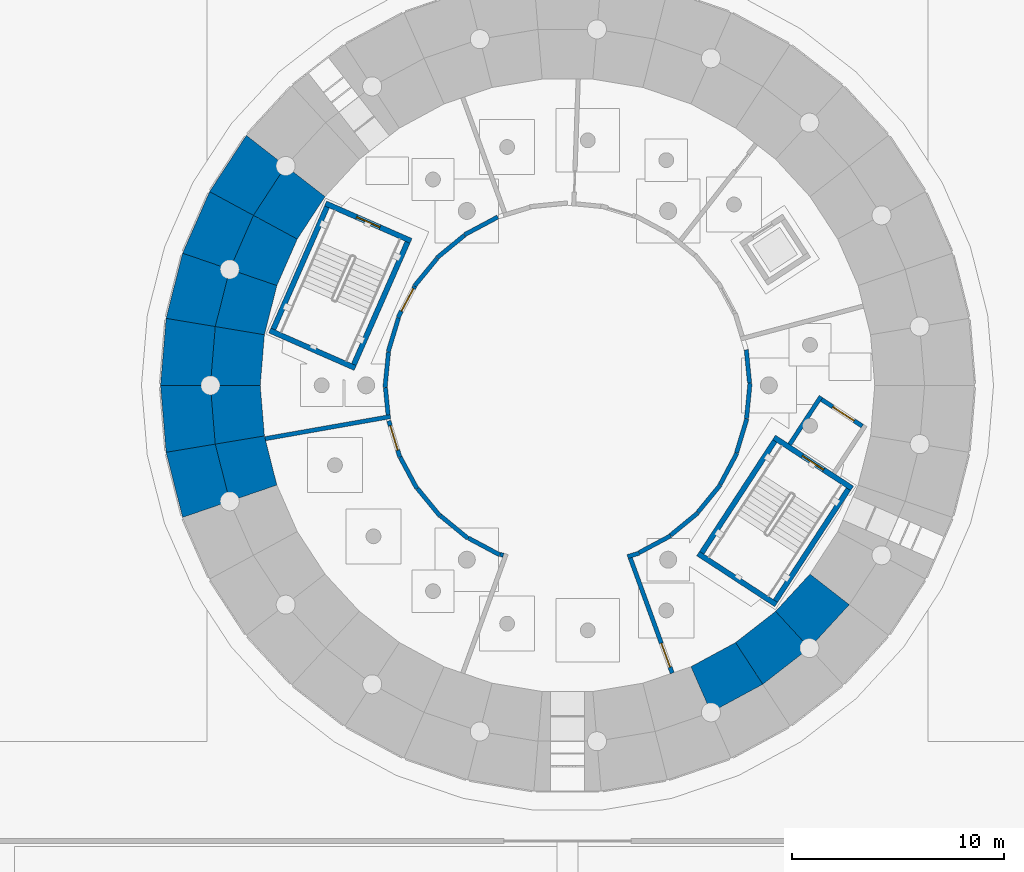
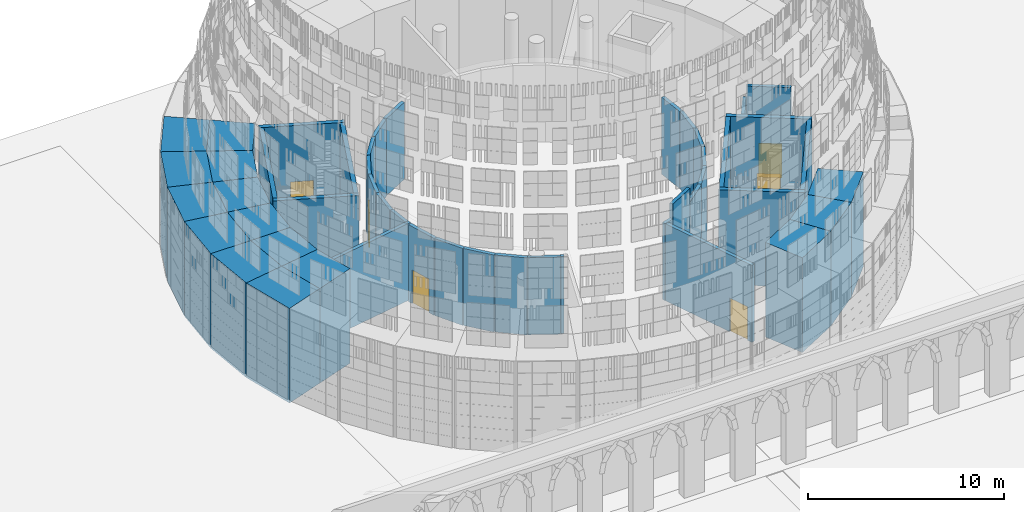
# One storey, part 57 of 125: 48 walls, 6 doors, 6 openings.
"""IFC4 building model written with IfcOpenShell, lengths in metres."""

from ifc_helpers import new_model, si_unit, direction, frame, frame_2d, origin, place, context, subcontext, project, spatial, polyline, rectangle, outline, extrude, material, layer, layer_set, type_object, element, fill, save


model = new_model("IFC4")

# Units and contexts
model_context = context("Model", 3, precision=1e-05, world=origin(), true_north=direction((0.0, 1.0)))
body_context = subcontext(model_context, "Body", "Model", "MODEL_VIEW")
ifc_project = project(units=[si_unit("LENGTHUNIT", "METRE"), si_unit("AREAUNIT", "SQUARE_METRE"), si_unit("VOLUMEUNIT", "CUBIC_METRE"), si_unit("PLANEANGLEUNIT", "RADIAN"), si_unit("MASSUNIT", "GRAM", prefix="KILO")], contexts=[model_context])

# Site, building, storey
site_placement = place(None, origin())
site = spatial("IfcSite", under=ifc_project, at=site_placement, CompositionType="ELEMENT")
building_placement = place(site_placement, origin())
building = spatial("IfcBuilding", under=site, at=building_placement, Name="Sun Court Science Centre", CompositionType="ELEMENT")
storey_placement = place(building_placement, origin())
storey = spatial("IfcBuildingStorey", under=building, at=storey_placement, Name="L00", CompositionType="ELEMENT", Elevation=0.0)

# Walls
ifc_material_1 = material(Name="Gypsum board")
ifc_layer_1 = layer(ifc_material_1, 0.199951171875)
ifc_layer_set_1 = layer_set([ifc_layer_1], Name="Gypsum board")
wall_type_1 = type_object("IfcWallType", Name="Partition 200 acoustic double stud", PredefinedType="PARTITIONING", material=ifc_layer_set_1)
wall_1_placement = place(storey_placement, frame((36.7373046875, 94.281982421875, 0.0), z_axis=(0.0, 0.0, 1.0), x_axis=(0.984809765879, 0.173636761746, 0.0)))
element("IfcWall", 1, at=wall_1_placement, inside=storey, type_object=wall_type_1, Name="L00 partition 002", PredefinedType="PARTITIONING", context=body_context, shape_type="SweptSolid", body=[
    extrude(rectangle(XDim=5.99951171875, YDim=0.199951171875, at=frame_2d((2.999755859375, 0.0))), origin(), (0.0, 0.0, 1.0), 4.800048828125),
])
ifc_material_2 = material(Name="Concrete block", Category="concrete")
ifc_layer_2 = layer(ifc_material_2, 0.199951171875)
ifc_layer_set_2 = layer_set([ifc_layer_2], Name="Concrete block")
wall_type_2 = type_object("IfcWallType", Name="Partition 200 block EI60", PredefinedType="PARTITIONING", material=ifc_layer_set_2)
wall_2_placement = place(storey_placement, frame((53.835693359375, 88.71728515625, 0.0), z_axis=(0.0, 0.0, 1.0), x_axis=(0.956899513983, 0.290419214479, 0.0)))
element("IfcWall", 2, at=wall_2_placement, inside=storey, type_object=wall_type_2, Name="L00 partition 004", PredefinedType="PARTITIONING", context=body_context, shape_type="SweptSolid", body=[
    extrude(rectangle(XDim=0.575927734375, YDim=0.199951171875, at=frame_2d((0.2880859375, 0.0))), origin(), (0.0, 0.0, 1.0), 4.800048828125),
])
wall_3_placement = place(storey_placement, frame((54.3896484375, 88.911865234375, 0.0), z_axis=(0.0, 0.0, 1.0), x_axis=(0.881887710553, 0.471459506188, 0.0)))
element("IfcWall", 3, at=wall_3_placement, inside=storey, type_object=wall_type_2, Name="L00 partition 006", PredefinedType="PARTITIONING", context=body_context, shape_type="SweptSolid", body=[
    extrude(rectangle(XDim=1.672119140625, YDim=0.199951171875, at=frame_2d((0.8359375, 0.0))), origin(), (0.0, 0.0, 1.0), 5.699951171875),
])
wall_4_placement = place(storey_placement, frame((46.135498046875, 103.900634765625, 0.0), z_axis=(0.0, 0.0, 1.0), x_axis=(0.881871891498, 0.471489095299, 0.0)))
element("IfcWall", 4, at=wall_4_placement, inside=storey, type_object=wall_type_2, Name="L00 partition 007", PredefinedType="PARTITIONING", context=body_context, shape_type="SweptSolid", body=[
    extrude(rectangle(XDim=1.785888671875, YDim=0.199951171875, at=frame_2d((0.89306640625, 0.0))), origin(), (0.0, 0.0, 1.0), 4.800048828125),
])
for number, where, z_axis, x_axis, name in (
    (5, (55.86328125, 89.7255859375, 0.0), (0.0, 0.0, 1.0), (0.773071534026, 0.634318849853, 0.0), "L00 partition 008"),
    (6, (44.843017578125, 102.81591796875, 0.0), (0.0, 0.0, 1.0), (0.772999913958, 0.634406126248, 0.0), "L00 partition 009"),
):
    element("IfcWall", number, at=place(storey_placement, frame(where, z_axis=z_axis, x_axis=x_axis)), inside=storey, type_object=wall_type_2, Name=name, PredefinedType="PARTITIONING", context=body_context, shape_type="SweptSolid", body=[
        extrude(rectangle(XDim=1.671630859375, YDim=0.199951171875, at=frame_2d((0.8359375, 0.0))), origin(), (0.0, 0.0, 1.0), 4.800048828125),
    ])
wall_5_placement = place(storey_placement, frame((57.151123046875, 90.8095703125, 0.0), z_axis=(0.0, 0.0, 1.0), x_axis=(0.634390476994, 0.773012757139, 0.0)))
element("IfcWall", 7, at=wall_5_placement, inside=storey, type_object=wall_type_2, Name="L00 partition 010", PredefinedType="PARTITIONING", context=body_context, shape_type="SweptSolid", body=[
    extrude(rectangle(XDim=1.67138671875, YDim=0.199951171875, at=frame_2d((0.835693359375, 0.0))), origin(), (0.0, 0.0, 1.0), 4.800048828125),
])
wall_6_placement = place(storey_placement, frame((43.788818359375, 101.498046875, 0.0), z_axis=(0.0, 0.0, 1.0), x_axis=(0.634421768811, 0.772987075739, 0.0)))
element("IfcWall", 8, at=wall_6_placement, inside=storey, type_object=wall_type_2, Name="L00 partition 011", PredefinedType="PARTITIONING", context=body_context, shape_type="SweptSolid", body=[
    extrude(rectangle(XDim=1.672119140625, YDim=0.199951171875, at=frame_2d((0.8359375, 0.0))), origin(), (0.0, 0.0, 1.0), 4.800048828125),
])
wall_7_placement = place(storey_placement, frame((61.484619140625, 94.013916015625, 0.0), z_axis=(0.0, 0.0, 1.0), x_axis=(0.546949429649, 0.837165647532, 0.0)))
element("IfcWall", 9, at=wall_7_placement, inside=storey, type_object=wall_type_2, Name="L00 partition 014", PredefinedType="PARTITIONING", context=body_context, shape_type="SweptSolid", body=[
    extrude(rectangle(XDim=2.69775390625, YDim=0.199951171875, at=frame_2d((1.348876953125, 0.0))), origin(), (0.0, 0.0, 1.0), 4.89990234375),
])
wall_8_placement = place(storey_placement, frame((58.2041015625, 92.123046875, 0.0), z_axis=(0.0, 0.0, 1.0), x_axis=(0.471467367282, 0.881883507946, 0.0)))
element("IfcWall", 10, at=wall_8_placement, inside=storey, type_object=wall_type_2, Name="L00 partition 015", PredefinedType="PARTITIONING", context=body_context, shape_type="SweptSolid", body=[
    extrude(rectangle(XDim=1.671630859375, YDim=0.199951171875, at=frame_2d((0.8359375, 0.0))), origin(), (0.0, 0.0, 1.0), 4.800048828125),
])

# Wall, opening, door
wall_9_placement = place(storey_placement, frame((43.792724609375, 101.478515625, 0.0), z_axis=(0.0, 0.0, 1.0), x_axis=(-0.471467367282, -0.881883507946, 0.0)))
wall_9 = element("IfcWall", 11, at=wall_9_placement, inside=storey, type_object=wall_type_2, Name="L00 partition 016", PredefinedType="PARTITIONING", context=body_context, shape_type="SweptSolid", body=[
    extrude(rectangle(XDim=1.671630859375, YDim=0.199951171875, at=frame_2d((0.8359375, 0.0))), origin(), (0.0, 0.0, 1.0), 4.800048828125),
])
opening_1_placement = place(wall_9_placement, frame((0.12890625, 0.0, 0.0)))
opening_1 = element("IfcOpeningElement", 12, at=opening_1_placement, cuts=wall_9, Name="Opening D-L00-090", PredefinedType="OPENING", context=body_context, shape_type="SweptSolid", body=[
    extrude(rectangle(XDim=1.199951171875, YDim=2.10009765625, at=frame_2d((0.60009765625, 1.050048828125))), frame((0.0, 0.10986328125, 0.0), z_axis=(0.0, -1.0, 0.0), x_axis=(1.0, 0.0, 0.0)), (0.0, 0.0, 1.0), 0.219970703125),
])
ifc_material_3 = material(Name="Timber", Category="wood")
door_type_1 = type_object("IfcDoorType", Name="Door 1200x2100 single leaf", OperationType="NOTDEFINED", PredefinedType="DOOR", material=ifc_material_3)
door_1_placement = place(opening_1_placement, origin())
door_1 = element("IfcDoor", 13, at=door_1_placement, inside=storey, type_object=door_type_1, Name="Door D-L00-090", OperationType="SINGLE_SWING_RIGHT", OverallHeight=2.10009765625, OverallWidth=1.199951171875, PredefinedType="DOOR", context=body_context, shape_type="SweptSolid", body=[
    extrude(rectangle(XDim=1.199951171875, YDim=2.10009765625, at=frame_2d((0.60009765625, 1.050048828125))), frame((0.0, 0.02490234375, 0.0), z_axis=(0.0, -1.0, 0.0), x_axis=(1.0, 0.0, 0.0)), (0.0, 0.0, 1.0), 0.050048828125),
])
fill(opening_1, door_1)

# Walls
wall_10_placement = place(storey_placement, frame((58.97607421875, 93.618408203125, 0.0), z_axis=(0.0, 0.0, 1.0), x_axis=(0.290266738635, 0.956945777169, 0.0)))
element("IfcWall", 14, at=wall_10_placement, inside=storey, type_object=wall_type_2, Name="L00 partition 018", PredefinedType="PARTITIONING", context=body_context, shape_type="SweptSolid", body=[
    extrude(rectangle(XDim=1.672119140625, YDim=0.199951171875, at=frame_2d((0.8359375, 0.0))), origin(), (0.0, 0.0, 1.0), 4.800048828125),
])
wall_11_placement = place(storey_placement, frame((42.540771484375, 98.380615234375, 0.0), z_axis=(0.0, 0.0, 1.0), x_axis=(0.2902382352, 0.956954422545, 0.0)))
element("IfcWall", 15, at=wall_11_placement, inside=storey, type_object=wall_type_2, Name="L00 partition 019", PredefinedType="PARTITIONING", context=body_context, shape_type="SweptSolid", body=[
    extrude(rectangle(XDim=1.673095703125, YDim=0.199951171875, at=frame_2d((0.83642578125, 0.0))), origin(), (0.0, 0.0, 1.0), 4.800048828125),
])
wall_12_placement = place(storey_placement, frame((59.447998046875, 95.235595703125, 0.0), z_axis=(0.0, 0.0, 1.0), x_axis=(0.097985479624, 0.995187844471, 0.0)))
element("IfcWall", 16, at=wall_12_placement, inside=storey, type_object=wall_type_2, Name="L00 partition 020", PredefinedType="PARTITIONING", context=body_context, shape_type="SweptSolid", body=[
    extrude(rectangle(XDim=1.671875, YDim=0.199951171875, at=frame_2d((0.8359375, 0.0))), origin(), (0.0, 0.0, 1.0), 4.800048828125),
])
wall_13_placement = place(storey_placement, frame((42.3896484375, 96.700439453125, 0.0), z_axis=(0.0, 0.0, 1.0), x_axis=(0.097999721553, 0.995186442118, 0.0)))
element("IfcWall", 17, at=wall_13_placement, inside=storey, type_object=wall_type_2, Name="L00 partition 021", PredefinedType="PARTITIONING", context=body_context, shape_type="SweptSolid", body=[
    extrude(rectangle(XDim=1.671630859375, YDim=0.199951171875, at=frame_2d((0.8359375, 0.0))), origin(), (0.0, 0.0, 1.0), 4.800048828125),
])
wall_14_placement = place(storey_placement, frame((59.590576171875, 96.912841796875, 0.0), z_axis=(0.0, 0.0, 1.0), x_axis=(-0.098120176321, 0.995174573127, 0.0)))
element("IfcWall", 18, at=wall_14_placement, inside=storey, type_object=wall_type_2, Name="L00 partition 023", PredefinedType="PARTITIONING", context=body_context, shape_type="SweptSolid", body=[
    extrude(rectangle(XDim=1.572509765625, YDim=0.199951171875, at=frame_2d((0.7861328125, 0.0))), origin(), (0.0, 0.0, 1.0), 4.800048828125),
])
wall_15_placement = place(storey_placement, frame((42.53564453125, 95.41015625, 0.0), z_axis=(0.0, 0.0, 1.0), x_axis=(-0.097996402677, 0.995186768935, 0.0)))
element("IfcWall", 19, at=wall_15_placement, inside=storey, type_object=wall_type_2, Name="L00 partition 024", PredefinedType="PARTITIONING", context=body_context, shape_type="SweptSolid", body=[
    extrude(rectangle(XDim=1.282958984375, YDim=0.199951171875, at=frame_2d((0.6416015625, 0.0))), origin(), (0.0, 0.0, 1.0), 4.800048828125),
])

# Wall, opening, door
wall_16_placement = place(storey_placement, frame((42.569580078125, 95.12353515625, 0.0), z_axis=(0.0, 0.0, 1.0), x_axis=(0.290356433396, -0.956918565807, 0.0)))
wall_16 = element("IfcWall", 20, at=wall_16_placement, inside=storey, type_object=wall_type_2, Name="L00 partition 026", PredefinedType="PARTITIONING", context=body_context, shape_type="SweptSolid", body=[
    extrude(rectangle(XDim=1.785888671875, YDim=0.199951171875, at=frame_2d((0.89306640625, 0.0))), origin(), (0.0, 0.0, 1.0), 4.800048828125),
])
opening_2_placement = place(wall_16_placement, frame((0.24365234375, 0.0, 0.0)))
opening_2 = element("IfcOpeningElement", 21, at=opening_2_placement, cuts=wall_16, Name="Opening D-L00-091", PredefinedType="OPENING", context=body_context, shape_type="SweptSolid", body=[
    extrude(rectangle(XDim=1.199951171875, YDim=2.10009765625, at=frame_2d((0.60009765625, 1.050048828125))), frame((0.0, 0.10986328125, 0.0), z_axis=(0.0, -1.0, 0.0), x_axis=(1.0, 0.0, 0.0)), (0.0, 0.0, 1.0), 0.219970703125),
])
door_2_placement = place(opening_2_placement, origin())
door_2 = element("IfcDoor", 22, at=door_2_placement, inside=storey, type_object=door_type_1, Name="Door D-L00-091", OperationType="SINGLE_SWING_RIGHT", OverallHeight=2.10009765625, OverallWidth=1.199951171875, PredefinedType="DOOR", context=body_context, shape_type="SweptSolid", body=[
    extrude(rectangle(XDim=1.199951171875, YDim=2.10009765625, at=frame_2d((0.60009765625, 1.050048828125))), frame((0.0, 0.02490234375, 0.0), z_axis=(0.0, -1.0, 0.0), x_axis=(1.0, 0.0, 0.0)), (0.0, 0.0, 1.0), 0.050048828125),
])
fill(opening_2, door_2)

wall_17_placement = place(storey_placement, frame((55.9404296875, 83.2216796875, 0.0), z_axis=(0.0, 0.0, 1.0), x_axis=(-0.342004381706, 0.939698357397, 0.0)))
wall_17 = element("IfcWall", 23, at=wall_17_placement, inside=storey, type_object=wall_type_2, Name="L00 partition 027", PredefinedType="PARTITIONING", context=body_context, shape_type="SweptSolid", body=[
    extrude(rectangle(XDim=5.77587890625, YDim=0.199951171875, at=frame_2d((2.887939453125, 0.0))), origin(), (0.0, 0.0, 1.0), 4.800048828125),
])
opening_3_placement = place(wall_17_placement, frame((0.2978515625, 0.0, 0.0)))
opening_3 = element("IfcOpeningElement", 24, at=opening_3_placement, cuts=wall_17, Name="Opening D-L00-089", PredefinedType="OPENING", context=body_context, shape_type="SweptSolid", body=[
    extrude(rectangle(XDim=1.199951171875, YDim=2.10009765625, at=frame_2d((0.60009765625, 1.050048828125))), frame((0.0, 0.10986328125, 0.0), z_axis=(0.0, -1.0, 0.0), x_axis=(1.0, 0.0, 0.0)), (0.0, 0.0, 1.0), 0.219970703125),
])
door_3_placement = place(opening_3_placement, origin())
door_3 = element("IfcDoor", 25, at=door_3_placement, inside=storey, type_object=door_type_1, Name="Door D-L00-089", OperationType="SINGLE_SWING_RIGHT", OverallHeight=2.10009765625, OverallWidth=1.199951171875, PredefinedType="DOOR", context=body_context, shape_type="SweptSolid", body=[
    extrude(rectangle(XDim=1.199951171875, YDim=2.10009765625, at=frame_2d((0.60009765625, 1.050048828125))), frame((0.0, 0.02490234375, 0.0), z_axis=(0.0, -1.0, 0.0), x_axis=(1.0, 0.0, 0.0)), (0.0, 0.0, 1.0), 0.050048828125),
])
fill(opening_3, door_3)

# Walls
wall_18_placement = place(storey_placement, frame((43.8935546875, 91.932373046875, 0.0), z_axis=(0.0, 0.0, 1.0), x_axis=(-0.471528100867, 0.881851036226, 0.0)))
element("IfcWall", 26, at=wall_18_placement, inside=storey, type_object=wall_type_2, Name="L00 partition 030", PredefinedType="PARTITIONING", context=body_context, shape_type="SweptSolid", body=[
    extrude(rectangle(XDim=1.67138671875, YDim=0.199951171875, at=frame_2d((0.835693359375, 0.0))), origin(), (0.0, 0.0, 1.0), 4.800048828125),
])
wall_19_placement = place(storey_placement, frame((44.979248046875, 90.638916015625, 0.0), z_axis=(0.0, 0.0, 1.0), x_axis=(-0.634381463281, 0.773020154359, 0.0)))
element("IfcWall", 27, at=wall_19_placement, inside=storey, type_object=wall_type_2, Name="L00 partition 032", PredefinedType="PARTITIONING", context=body_context, shape_type="SweptSolid", body=[
    extrude(rectangle(XDim=1.6728515625, YDim=0.199951171875, at=frame_2d((0.83642578125, 0.0))), origin(), (0.0, 0.0, 1.0), 4.800048828125),
])
wall_20_placement = place(storey_placement, frame((46.297607421875, 89.58349609375, 0.0), z_axis=(0.0, 0.0, 1.0), x_axis=(-0.773007321839, 0.634397099917, 0.0)))
element("IfcWall", 28, at=wall_20_placement, inside=storey, type_object=wall_type_2, Name="L00 partition 034", PredefinedType="PARTITIONING", context=body_context, shape_type="SweptSolid", body=[
    extrude(rectangle(XDim=1.67333984375, YDim=0.199951171875, at=frame_2d((0.836669921875, 0.0))), origin(), (0.0, 0.0, 1.0), 4.800048828125),
])

# Wall, opening, door
wall_21_placement = place(storey_placement, frame((64.908447265625, 94.877685546875, 0.0), z_axis=(0.0, 0.0, 1.0), x_axis=(-0.837155155432, 0.546965488613, 0.0)))
wall_21 = element("IfcWall", 29, at=wall_21_placement, inside=storey, type_object=wall_type_2, Name="L00 partition 035", PredefinedType="PARTITIONING", context=body_context, shape_type="SweptSolid", body=[
    extrude(rectangle(XDim=2.294189453125, YDim=0.199951171875, at=frame_2d((1.14697265625, 0.0))), origin(), (0.0, 0.0, 1.0), 5.699951171875),
])
opening_4_placement = place(wall_21_placement, frame((0.46484375, 0.0, 0.0)))
opening_4 = element("IfcOpeningElement", 30, at=opening_4_placement, cuts=wall_21, Name="Opening D-L00-086", PredefinedType="OPENING", context=body_context, shape_type="SweptSolid", body=[
    extrude(rectangle(XDim=1.199951171875, YDim=2.10009765625, at=frame_2d((0.60009765625, 1.050048828125))), frame((0.0, 0.10986328125, 0.0), z_axis=(0.0, -1.0, 0.0), x_axis=(1.0, 0.0, 0.0)), (0.0, 0.0, 1.0), 0.219970703125),
])
ifc_material_4 = material(Name="Steel", Category="steel")
door_type_2 = type_object("IfcDoorType", Name="Door 1200x2100 single leaf FD60", OperationType="NOTDEFINED", PredefinedType="DOOR", material=ifc_material_4)
door_4_placement = place(opening_4_placement, origin())
door_4 = element("IfcDoor", 31, at=door_4_placement, inside=storey, type_object=door_type_2, Name="Door D-L00-086", OperationType="SINGLE_SWING_RIGHT", OverallHeight=2.10009765625, OverallWidth=1.199951171875, PredefinedType="DOOR", context=body_context, shape_type="SweptSolid", body=[
    extrude(rectangle(XDim=1.199951171875, YDim=2.10009765625, at=frame_2d((0.60009765625, 1.050048828125))), frame((0.0, 0.02490234375, 0.0), z_axis=(0.0, -1.0, 0.0), x_axis=(1.0, 0.0, 0.0)), (0.0, 0.0, 1.0), 0.050048828125),
])
fill(opening_4, door_4)

# Walls
wall_22_placement = place(storey_placement, frame((47.7958984375, 88.80517578125, 0.0), z_axis=(0.0, 0.0, 1.0), x_axis=(-0.881863670633, 0.471504471259, 0.0)))
element("IfcWall", 32, at=wall_22_placement, inside=storey, type_object=wall_type_2, Name="L00 partition 037", PredefinedType="PARTITIONING", context=body_context, shape_type="SweptSolid", body=[
    extrude(rectangle(XDim=1.673095703125, YDim=0.199951171875, at=frame_2d((0.83642578125, 0.0))), origin(), (0.0, 0.0, 1.0), 4.800048828125),
])
wall_23_placement = place(storey_placement, frame((47.97412109375, 88.779296875, 0.0), z_axis=(0.0, 0.0, 1.0), x_axis=(-0.95661930152, 0.291340886177, 0.0)))
element("IfcWall", 33, at=wall_23_placement, inside=storey, type_object=wall_type_2, Name="L00 partition 039", PredefinedType="PARTITIONING", context=body_context, shape_type="SweptSolid", body=[
    extrude(rectangle(XDim=0.16259765625, YDim=0.199951171875, at=frame_2d((0.081298828125, 0.0))), origin(), (0.0, 0.0, 1.0), 4.800048828125),
])
ifc_material_5 = material(Name="Concrete C30/37", Category="concrete")
ifc_layer_3 = layer(ifc_material_5, 2.343017578125)
ifc_layer_set_3 = layer_set([ifc_layer_3], Name="Concrete C30/37")
wall_type_3 = type_object("IfcWallType", Name="RC drum wall exterior 2343", PredefinedType="SHEAR", material=ifc_layer_set_3)
wall_24_placement = place(storey_placement, frame((36.8291015625, 107.9521484375, -0.199951171875), z_axis=(0.0, 0.0, 1.0), x_axis=(-0.546965131946, -0.837155388464, 0.0)))
element("IfcWall", 34, at=wall_24_placement, inside=storey, type_object=wall_type_3, Name="Drum wall L00 course 1 segment 15", PredefinedType="SHEAR", context=body_context, shape_type="SweptSolid", body=[
    extrude(outline(polyline([(0.0, -1.171630859375), (3.1708984375, -1.17138671875), (2.976806640625, 1.171630859375), (0.194091796875, 1.17138671875), (0.0, -1.171630859375)])), origin(), (0.0, 0.0, 1.0), 5.89990234375),
])
wall_25_placement = place(storey_placement, frame((35.186767578125, 105.467529296875, -0.199951171875), z_axis=(0.0, 0.0, 1.0), x_axis=(-0.401683019395, -0.915778768006, 0.0)))
element("IfcWall", 35, at=wall_25_placement, inside=storey, type_object=wall_type_3, Name="Drum wall L00 course 1 segment 16", PredefinedType="SHEAR", context=body_context, shape_type="SweptSolid", body=[
    extrude(outline(polyline([(-0.000244140625, -1.17138671875), (3.1708984375, -1.17138671875), (2.976806640625, 1.17138671875), (0.194091796875, 1.17138671875), (-0.000244140625, -1.17138671875)])), origin(), (0.0, 0.0, 1.0), 5.89990234375),
])
wall_26_placement = place(storey_placement, frame((33.975830078125, 102.74658203125, -0.199951171875), z_axis=(0.0, 0.0, 1.0), x_axis=(-0.245451175142, -0.969408954271, 0.0)))
element("IfcWall", 36, at=wall_26_placement, inside=storey, type_object=wall_type_3, Name="Drum wall L00 course 1 segment 17", PredefinedType="SHEAR", context=body_context, shape_type="SweptSolid", body=[
    extrude(outline(polyline([(0.0, -1.17138671875), (3.1708984375, -1.17138671875), (2.976806640625, 1.17138671875), (0.194091796875, 1.17138671875), (0.0, -1.17138671875)])), origin(), (0.0, 0.0, 1.0), 5.89990234375),
])
wall_27_placement = place(storey_placement, frame((33.229248046875, 99.863525390625, -0.199951171875), z_axis=(0.0, 0.0, 1.0), x_axis=(-0.082535726981, -0.996588106377, 0.0)))
element("IfcWall", 37, at=wall_27_placement, inside=storey, type_object=wall_type_3, Name="Drum wall L00 course 1 segment 18", PredefinedType="SHEAR", context=body_context, shape_type="SweptSolid", body=[
    extrude(outline(polyline([(0.0, -1.171142578125), (3.1708984375, -1.17138671875), (2.97705078125, 1.17138671875), (0.1943359375, 1.17138671875), (0.0, -1.171142578125)])), origin(), (0.0, 0.0, 1.0), 5.89990234375),
])
wall_28_placement = place(storey_placement, frame((32.967529296875, 96.896728515625, -0.199951171875), z_axis=(0.0, 0.0, 1.0), x_axis=(0.082535726981, -0.996588106377, 0.0)))
element("IfcWall", 38, at=wall_28_placement, inside=storey, type_object=wall_type_3, Name="Drum wall L00 course 1 segment 19", PredefinedType="SHEAR", context=body_context, shape_type="SweptSolid", body=[
    extrude(outline(polyline([(0.0, -1.17138671875), (3.1708984375, -1.171142578125), (2.97705078125, 1.17138671875), (0.194091796875, 1.17138671875), (0.0, -1.17138671875)])), origin(), (0.0, 0.0, 1.0), 5.89990234375),
])
wall_29_placement = place(storey_placement, frame((33.197509765625, 93.92724609375, -0.199951171875), z_axis=(0.0, 0.0, 1.0), x_axis=(0.245451175142, -0.969408954271, 0.0)))
element("IfcWall", 39, at=wall_29_placement, inside=storey, type_object=wall_type_3, Name="Drum wall L00 course 1 segment 20", PredefinedType="SHEAR", context=body_context, shape_type="SweptSolid", body=[
    extrude(outline(polyline([(-0.000244140625, -1.17138671875), (3.1708984375, -1.17138671875), (2.976806640625, 1.17138671875), (0.194091796875, 1.17138671875), (-0.000244140625, -1.17138671875)])), origin(), (0.0, 0.0, 1.0), 5.89990234375),
])
wall_30_placement = place(storey_placement, frame((38.684326171875, 106.50830078125, -0.199951171875), z_axis=(0.0, 0.0, 1.0), x_axis=(-0.54694202516, -0.837170485095, 0.0)))
element("IfcWall", 40, at=wall_30_placement, inside=storey, type_object=wall_type_3, Name="Drum wall L00 course 1 inner ring segment 15", PredefinedType="SHEAR", context=body_context, shape_type="SweptSolid", body=[
    extrude(outline(polyline([(0.0, -1.17138671875), (2.78271484375, -1.17138671875), (2.588623046875, 1.17138671875), (0.194091796875, 1.17138671875), (0.0, -1.17138671875)])), origin(), (0.0, 0.0, 1.0), 5.89990234375),
])
wall_31_placement = place(storey_placement, frame((37.25439453125, 104.3486328125, -0.199951171875), z_axis=(0.0, 0.0, 1.0), x_axis=(-0.401729909484, -0.915758199431, 0.0)))
element("IfcWall", 41, at=wall_31_placement, inside=storey, type_object=wall_type_3, Name="Drum wall L00 course 1 inner ring segment 16", PredefinedType="SHEAR", context=body_context, shape_type="SweptSolid", body=[
    extrude(outline(polyline([(0.0, -1.17138671875), (2.78271484375, -1.17138671875), (2.58837890625, 1.171630859375), (0.194091796875, 1.171142578125), (0.0, -1.17138671875)])), origin(), (0.0, 0.0, 1.0), 5.89990234375),
])
wall_32_placement = place(storey_placement, frame((36.199462890625, 101.9833984375, -0.199951171875), z_axis=(0.0, 0.0, 1.0), x_axis=(-0.245548138537, -0.969384398297, 0.0)))
element("IfcWall", 42, at=wall_32_placement, inside=storey, type_object=wall_type_3, Name="Drum wall L00 course 1 inner ring segment 17", PredefinedType="SHEAR", context=body_context, shape_type="SweptSolid", body=[
    extrude(outline(polyline([(0.0, -1.171630859375), (2.782958984375, -1.17138671875), (2.588623046875, 1.171630859375), (0.194091796875, 1.17138671875), (0.0, -1.171630859375)])), origin(), (0.0, 0.0, 1.0), 5.89990234375),
])
wall_33_placement = place(storey_placement, frame((35.548095703125, 99.4765625, -0.199951171875), z_axis=(0.0, 0.0, 1.0), x_axis=(-0.082558992404, -0.996586179301, 0.0)))
element("IfcWall", 43, at=wall_33_placement, inside=storey, type_object=wall_type_3, Name="Drum wall L00 course 1 inner ring segment 18", PredefinedType="SHEAR", context=body_context, shape_type="SweptSolid", body=[
    extrude(outline(polyline([(0.0, -1.17138671875), (2.78271484375, -1.17138671875), (2.588623046875, 1.17138671875), (0.1943359375, 1.17138671875), (0.0, -1.17138671875)])), origin(), (0.0, 0.0, 1.0), 5.89990234375),
])
wall_34_placement = place(storey_placement, frame((35.318359375, 96.896728515625, -0.199951171875), z_axis=(0.0, 0.0, 1.0), x_axis=(0.082558992404, -0.996586179301, 0.0)))
element("IfcWall", 44, at=wall_34_placement, inside=storey, type_object=wall_type_3, Name="Drum wall L00 course 1 inner ring segment 19", PredefinedType="SHEAR", context=body_context, shape_type="SweptSolid", body=[
    extrude(outline(polyline([(0.0, -1.17138671875), (2.782958984375, -1.17138671875), (2.58837890625, 1.17138671875), (0.194091796875, 1.17138671875), (0.0, -1.17138671875)])), origin(), (0.0, 0.0, 1.0), 5.89990234375),
])
wall_35_placement = place(storey_placement, frame((35.51611328125, 94.314208984375, -0.199951171875), z_axis=(0.0, 0.0, 1.0), x_axis=(0.245569021983, -0.969379108214, 0.0)))
element("IfcWall", 45, at=wall_35_placement, inside=storey, type_object=wall_type_3, Name="Drum wall L00 course 1 inner ring segment 20", PredefinedType="SHEAR", context=body_context, shape_type="SweptSolid", body=[
    extrude(outline(polyline([(0.0, -1.17138671875), (2.78271484375, -1.171630859375), (2.5888671875, 1.17138671875), (0.194091796875, 1.171630859375), (0.0, -1.17138671875)])), origin(), (0.0, 0.0, 1.0), 5.89990234375),
])
wall_36_placement = place(storey_placement, frame((57.210693359375, 82.400146484375, -0.199951171875), z_axis=(0.0, 0.0, 1.0), x_axis=(0.87946337705, 0.4759665623, 0.0)))
element("IfcWall", 46, at=wall_36_placement, inside=storey, type_object=wall_type_3, Name="Drum wall L00 course 1 inner ring segment 31", PredefinedType="SHEAR", context=body_context, shape_type="SweptSolid", body=[
    extrude(outline(polyline([(0.000244140625, -1.17138671875), (2.78271484375, -1.17138671875), (2.588623046875, 1.171630859375), (0.1943359375, 1.171630859375), (0.000244140625, -1.17138671875)])), origin(), (0.0, 0.0, 1.0), 5.89990234375),
])
wall_37_placement = place(storey_placement, frame((59.49609375, 83.618896484375, -0.199951171875), z_axis=(0.0, 0.0, 1.0), x_axis=(0.789144316107, 0.614207821797, 0.0)))
element("IfcWall", 47, at=wall_37_placement, inside=storey, type_object=wall_type_3, Name="Drum wall L00 course 1 inner ring segment 32", PredefinedType="SHEAR", context=body_context, shape_type="SweptSolid", body=[
    extrude(outline(polyline([(0.0, -1.17138671875), (2.782958984375, -1.17138671875), (2.588623046875, 1.17138671875), (0.194091796875, 1.171630859375), (0.0, -1.17138671875)])), origin(), (0.0, 0.0, 1.0), 5.89990234375),
])
wall_38_placement = place(storey_placement, frame((61.5498046875, 85.197021484375, -0.199951171875), z_axis=(0.0, 0.0, 1.0), x_axis=(0.677288370304, 0.735717651991, 0.0)))
element("IfcWall", 48, at=wall_38_placement, inside=storey, type_object=wall_type_3, Name="Drum wall L00 course 1 inner ring segment 33", PredefinedType="SHEAR", context=body_context, shape_type="SweptSolid", body=[
    extrude(outline(polyline([(0.0, -1.17138671875), (2.78271484375, -1.17138671875), (2.588623046875, 1.171630859375), (0.194091796875, 1.171630859375), (0.0, -1.17138671875)])), origin(), (0.0, 0.0, 1.0), 5.89990234375),
])
ifc_material_6 = material(Name="Concrete C30/37", Category="concrete")
ifc_layer_4 = layer(ifc_material_6, 0.25)
ifc_layer_set_4 = layer_set([ifc_layer_4], Name="Concrete C30/37")
wall_type_4 = type_object("IfcWallType", Name="RC stair core wall 250", PredefinedType="SHEAR", material=ifc_layer_set_4)
wall_39_placement = place(storey_placement, frame((57.161865234375, 88.8623046875, -0.199951171875), z_axis=(0.0, 0.0, 1.0), x_axis=(0.837178733665, -0.546929399373, 0.0)))
element("IfcWall", 49, at=wall_39_placement, inside=storey, type_object=wall_type_4, Name="Stair core PS1 wall S, L00", PredefinedType="SHEAR", context=body_context, shape_type="SweptSolid", body=[
    extrude(rectangle(XDim=4.39990234375, YDim=0.25, at=frame_2d((2.199951171875, 0.0))), origin(), (0.0, 0.0, 1.0), 5.89990234375),
])
wall_40_placement = place(storey_placement, frame((60.80908203125, 86.628662109375, -0.199951171875), z_axis=(0.0, 0.0, 1.0), x_axis=(0.546949670387, 0.837165490249, 0.0)))
element("IfcWall", 50, at=wall_40_placement, inside=storey, type_object=wall_type_4, Name="Stair core PS1 wall E, L00", PredefinedType="SHEAR", context=body_context, shape_type="SweptSolid", body=[
    extrude(rectangle(XDim=6.300048828125, YDim=0.25, at=frame_2d((3.14990234375, 0.0))), origin(), (0.0, 0.0, 1.0), 5.89990234375),
])

# Wall, opening, door
wall_41_placement = place(storey_placement, frame((60.744384765625, 94.345703125, -0.199951171875), z_axis=(0.0, 0.0, 1.0), x_axis=(0.837178733665, -0.546929399373, 0.0)))
wall_41 = element("IfcWall", 51, at=wall_41_placement, inside=storey, type_object=wall_type_4, Name="Stair core PS1 wall N, L00", PredefinedType="SHEAR", context=body_context, shape_type="SweptSolid", body=[
    extrude(rectangle(XDim=4.39990234375, YDim=0.25, at=frame_2d((2.199951171875, 0.0))), origin(), (0.0, 0.0, 1.0), 5.89990234375),
])
opening_5_placement = place(wall_41_placement, frame((1.6005859375, 0.0, 0.199951171875)))
opening_5 = element("IfcOpeningElement", 52, at=opening_5_placement, cuts=wall_41, Name="Opening D-L00-085", PredefinedType="OPENING", context=body_context, shape_type="SweptSolid", body=[
    extrude(rectangle(XDim=1.199951171875, YDim=2.199951171875, at=frame_2d((0.60009765625, 1.10009765625))), frame((0.0, 0.135009765625, 0.0), z_axis=(0.0, -1.0, 0.0), x_axis=(1.0, 0.0, 0.0)), (0.0, 0.0, 1.0), 0.27001953125),
])
ifc_material_7 = material(Name="Steel", Category="steel")
door_type_3 = type_object("IfcDoorType", Name="Door 1200x2200 single leaf FD60", OperationType="NOTDEFINED", PredefinedType="DOOR", material=ifc_material_7)
door_5_placement = place(opening_5_placement, origin())
door_5 = element("IfcDoor", 53, at=door_5_placement, inside=storey, type_object=door_type_3, Name="Door D-L00-085", OperationType="SINGLE_SWING_RIGHT", OverallHeight=2.199951171875, OverallWidth=1.199951171875, PredefinedType="DOOR", context=body_context, shape_type="SweptSolid", body=[
    extrude(rectangle(XDim=1.199951171875, YDim=2.199951171875, at=frame_2d((0.60009765625, 1.10009765625))), frame((0.0, 0.02490234375, 0.0), z_axis=(0.0, -1.0, 0.0), x_axis=(1.0, 0.0, 0.0)), (0.0, 0.0, 1.0), 0.050048828125),
])
fill(opening_5, door_5)

# Wall
wall_42_placement = place(storey_placement, frame((57.3349609375, 88.8984375, -0.199951171875), z_axis=(0.0, 0.0, 1.0), x_axis=(0.546922510141, 0.837183234364, 0.0)))
element("IfcWall", 54, at=wall_42_placement, inside=storey, type_object=wall_type_4, Name="Stair core PS1 wall W, L00", PredefinedType="SHEAR", context=body_context, shape_type="SweptSolid", body=[
    extrude(rectangle(XDim=6.2998046875, YDim=0.25, at=frame_2d((3.14990234375, 0.0))), origin(), (0.0, 0.0, 1.0), 5.89990234375),
])

# Wall, opening, door
wall_43_placement = place(storey_placement, frame((43.61572265625, 103.615234375, -0.199951171875), z_axis=(0.0, 0.0, 1.0), x_axis=(-0.915768514631, 0.401706394785, 0.0)))
wall_43 = element("IfcWall", 55, at=wall_43_placement, inside=storey, type_object=wall_type_4, Name="Stair core PS2 wall S, L00", PredefinedType="SHEAR", context=body_context, shape_type="SweptSolid", body=[
    extrude(rectangle(XDim=4.400146484375, YDim=0.25, at=frame_2d((2.2001953125, 0.0))), origin(), (0.0, 0.0, 1.0), 5.89990234375),
])
opening_6_placement = place(wall_43_placement, frame((1.60009765625, 0.0, 0.199951171875)))
opening_6 = element("IfcOpeningElement", 56, at=opening_6_placement, cuts=wall_43, Name="Opening D-L00-087", PredefinedType="OPENING", context=body_context, shape_type="SweptSolid", body=[
    extrude(rectangle(XDim=1.199951171875, YDim=2.199951171875, at=frame_2d((0.60009765625, 1.10009765625))), frame((0.0, 0.135009765625, 0.0), z_axis=(0.0, -1.0, 0.0), x_axis=(1.0, 0.0, 0.0)), (0.0, 0.0, 1.0), 0.27001953125),
])
door_6_placement = place(opening_6_placement, origin())
door_6 = element("IfcDoor", 57, at=door_6_placement, inside=storey, type_object=door_type_3, Name="Door D-L00-087", OperationType="SINGLE_SWING_LEFT", OverallHeight=2.199951171875, OverallWidth=1.199951171875, PredefinedType="DOOR", context=body_context, shape_type="SweptSolid", body=[
    extrude(rectangle(XDim=1.199951171875, YDim=2.199951171875, at=frame_2d((0.60009765625, 1.10009765625))), frame((0.0, 0.02490234375, 0.0), z_axis=(0.0, -1.0, 0.0), x_axis=(1.0, 0.0, 0.0)), (0.0, 0.0, 1.0), 0.050048828125),
])
fill(opening_6, door_6)

# Walls
wall_44_placement = place(storey_placement, frame((39.650634765625, 105.218017578125, -0.199951171875), z_axis=(0.0, 0.0, 1.0), x_axis=(-0.401711100828, -0.915766450287, 0.0)))
element("IfcWall", 58, at=wall_44_placement, inside=storey, type_object=wall_type_4, Name="Stair core PS2 wall E, L00", PredefinedType="SHEAR", context=body_context, shape_type="SweptSolid", body=[
    extrude(rectangle(XDim=6.300048828125, YDim=0.25, at=frame_2d((3.14990234375, 0.0))), origin(), (0.0, 0.0, 1.0), 5.89990234375),
])
wall_45_placement = place(storey_placement, frame((40.984619140625, 97.616943359375, -0.199951171875), z_axis=(0.0, 0.0, 1.0), x_axis=(-0.915768514631, 0.401706394785, 0.0)))
element("IfcWall", 59, at=wall_45_placement, inside=storey, type_object=wall_type_4, Name="Stair core PS2 wall N, L00", PredefinedType="SHEAR", context=body_context, shape_type="SweptSolid", body=[
    extrude(rectangle(XDim=4.400146484375, YDim=0.25, at=frame_2d((2.2001953125, 0.0))), origin(), (0.0, 0.0, 1.0), 5.89990234375),
])
wall_46_placement = place(storey_placement, frame((43.450927734375, 103.551025390625, -0.199951171875), z_axis=(0.0, 0.0, 1.0), x_axis=(-0.401678600913, -0.915780706047, 0.0)))
element("IfcWall", 60, at=wall_46_placement, inside=storey, type_object=wall_type_4, Name="Stair core PS2 wall W, L00", PredefinedType="SHEAR", context=body_context, shape_type="SweptSolid", body=[
    extrude(rectangle(XDim=6.2998046875, YDim=0.25, at=frame_2d((3.14990234375, 0.0))), origin(), (0.0, 0.0, 1.0), 5.89990234375),
])

save(model, "model.ifc")
